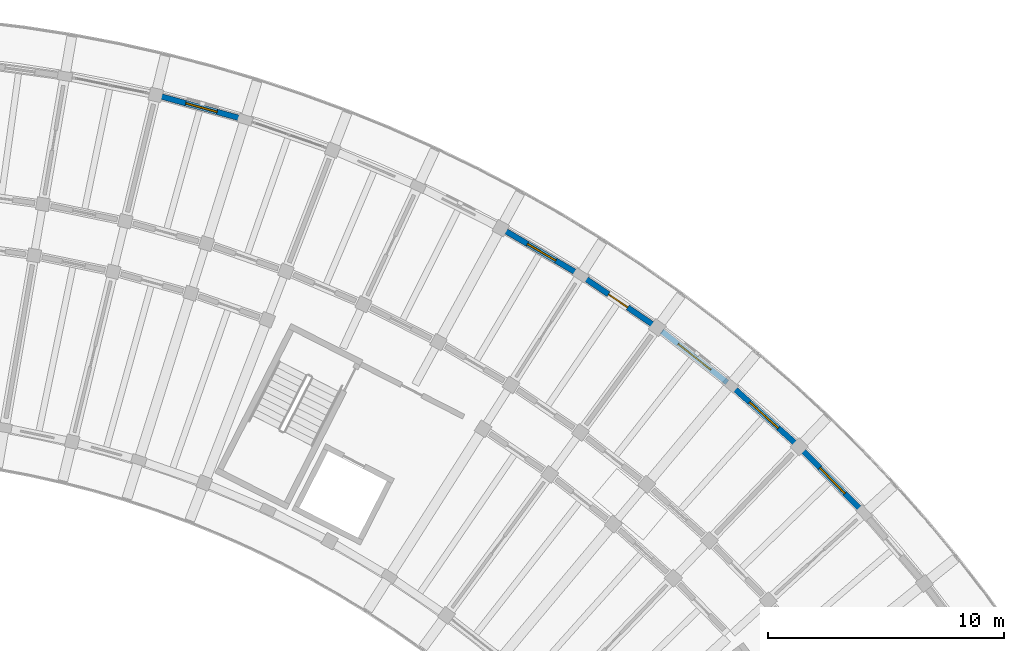
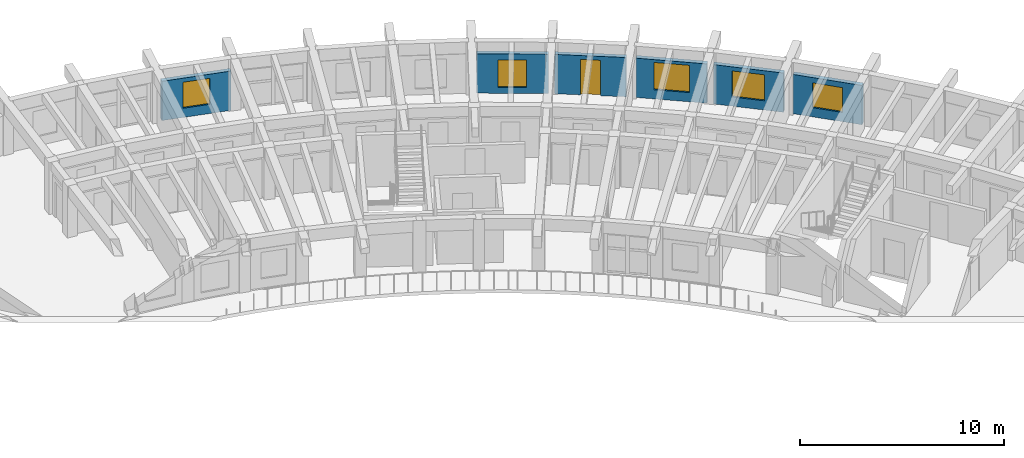
# One storey, part 73 of 96: 6 walls, 5 windows, 1 door, 6 openings.
"""IFC4 building model written with IfcOpenShell, lengths in metres."""

from ifc_helpers import new_model, si_unit, direction, frame, frame_2d, origin, place, context, subcontext, project, spatial, rectangle, extrude, material, layer, layer_set, type_object, element, fill, save


model = new_model("IFC4")

# Units and contexts
model_context = context("Model", 3, precision=1e-05, world=origin(), true_north=direction((0.0, 1.0)))
body_context = subcontext(model_context, "Body", "Model", "MODEL_VIEW")
ifc_project = project(units=[si_unit("LENGTHUNIT", "METRE"), si_unit("AREAUNIT", "SQUARE_METRE"), si_unit("VOLUMEUNIT", "CUBIC_METRE"), si_unit("PLANEANGLEUNIT", "RADIAN"), si_unit("MASSUNIT", "GRAM", prefix="KILO")], contexts=[model_context])

# Site, building, storey
site_placement = place(None, origin())
site = spatial("IfcSite", under=ifc_project, at=site_placement, CompositionType="ELEMENT")
building_placement = place(site_placement, origin())
building = spatial("IfcBuilding", under=site, at=building_placement, Name="Tanwirah Colonnade Gardens", CompositionType="ELEMENT")
storey_placement = place(building_placement, frame((0.0, 0.0, 12.199951171875)))
storey = spatial("IfcBuildingStorey", under=building, at=storey_placement, Name="L03", CompositionType="ELEMENT", Elevation=12.199951171875)

# Wall, opening, window
ifc_material_1 = material(Name="Limestone architectural precast concrete C40/50", Category="masonry")
ifc_layer = layer(ifc_material_1, 0.239990234375)
ifc_layer_set = layer_set([ifc_layer], Name="Limestone architectural precast concrete C40/50")
wall_type = type_object("IfcWallType", Name="EW-PC240", PredefinedType="SOLIDWALL", material=ifc_layer_set)
wall_1_placement = place(storey_placement, frame((164.83203125, 100.503173828125, 0.0), z_axis=(0.0, 0.0, 1.0), x_axis=(-0.698841852324, 0.715276216186, 0.0)))
wall_1 = element("IfcWall", 1, at=wall_1_placement, inside=storey, type_object=wall_type, Name="Block B L03 OUT Precast Facade Wall 7", PredefinedType="SOLIDWALL", context=body_context, shape_type="SweptSolid", body=[
    extrude(rectangle(XDim=3.520751953125, YDim=0.239990234375, at=frame_2d((1.76025390625, 0.0))), origin(), (0.0, 0.0, 1.0), 2.35498046875),
])
opening_1_placement = place(wall_1_placement, frame((1.00048828125, 0.0, 0.550048828125)))
opening_1 = element("IfcOpeningElement", 2, at=opening_1_placement, cuts=wall_1, Name="Opening WIN-U10", PredefinedType="OPENING", context=body_context, shape_type="SweptSolid", body=[
    extrude(rectangle(XDim=1.52001953125, YDim=1.485107421875, at=frame_2d((0.760009765625, 0.74267578125))), frame((0.0, 0.1298828125, 0.0), z_axis=(0.0, -1.0, 0.0), x_axis=(1.0, 0.0, 0.0)), (0.0, 0.0, 1.0), 0.260009765625),
])
ifc_material_2 = material(Name="Thermally broken bronze aluminium and solar low-E double glazing", Category="aluminium")
window_type_1 = type_object("IfcWindowType", Name="WIN-U10", PartitioningType="DOUBLE_PANEL_VERTICAL", PredefinedType="WINDOW", material=ifc_material_2)
window_1_placement = place(opening_1_placement, origin())
window_1 = element("IfcWindow", 3, at=window_1_placement, inside=storey, type_object=window_type_1, Name="Facade window B-L03-OUT-07", OverallHeight=1.485107421875, OverallWidth=1.52001953125, PartitioningType="SINGLE_PANEL", PredefinedType="WINDOW", context=body_context, shape_type="SweptSolid", body=[
    extrude(rectangle(XDim=1.52001953125, YDim=1.485107421875, at=frame_2d((0.760009765625, 0.74267578125))), frame((0.0, 0.030029296875, 0.0), z_axis=(0.0, -1.0, 0.0), x_axis=(1.0, 0.0, 0.0)), (0.0, 0.0, 1.0), 0.06005859375),
])
fill(opening_1, window_1)

wall_2_placement = place(storey_placement, frame((162.01806640625, 103.3603515625, 0.0), z_axis=(0.0, 0.0, 1.0), x_axis=(-0.744413726571, 0.667718656092, 0.0)))
wall_2 = element("IfcWall", 4, at=wall_2_placement, inside=storey, type_object=wall_type, Name="Block B L03 OUT Precast Facade Wall 8", PredefinedType="SOLIDWALL", context=body_context, shape_type="SweptSolid", body=[
    extrude(rectangle(XDim=3.520751953125, YDim=0.239990234375, at=frame_2d((1.76025390625, 0.0))), origin(), (0.0, 0.0, 1.0), 2.35498046875),
])
opening_2_placement = place(wall_2_placement, frame((0.940185546875, 0.0, 0.550048828125)))
opening_2 = element("IfcOpeningElement", 5, at=opening_2_placement, cuts=wall_2, Name="Opening WIN-U13", PredefinedType="OPENING", context=body_context, shape_type="SweptSolid", body=[
    extrude(rectangle(XDim=1.639892578125, YDim=1.56005859375, at=frame_2d((0.81982421875, 0.780029296875))), frame((0.0, 0.1298828125, 0.0), z_axis=(0.0, -1.0, 0.0), x_axis=(1.0, 0.0, 0.0)), (0.0, 0.0, 1.0), 0.260009765625),
])
window_type_2 = type_object("IfcWindowType", Name="WIN-U13", PartitioningType="DOUBLE_PANEL_VERTICAL", PredefinedType="WINDOW", material=ifc_material_2)
window_2_placement = place(opening_2_placement, origin())
window_2 = element("IfcWindow", 6, at=window_2_placement, inside=storey, type_object=window_type_2, Name="Facade window B-L03-OUT-08", OverallHeight=1.56005859375, OverallWidth=1.639892578125, PartitioningType="SINGLE_PANEL", PredefinedType="WINDOW", context=body_context, shape_type="SweptSolid", body=[
    extrude(rectangle(XDim=1.639892578125, YDim=1.56005859375, at=frame_2d((0.81982421875, 0.780029296875))), frame((0.0, 0.030029296875, 0.0), z_axis=(0.0, -1.0, 0.0), x_axis=(1.0, 0.0, 0.0)), (0.0, 0.0, 1.0), 0.06005859375),
])
fill(opening_2, window_2)

wall_3_placement = place(storey_placement, frame((159.152099609375, 105.916748046875, 0.0), z_axis=(0.0, 0.0, 1.0), x_axis=(-0.786813798172, 0.617190446301, 0.0)))
wall_3 = element("IfcWall", 7, at=wall_3_placement, inside=storey, type_object=wall_type, Name="Block B L03 OUT Precast Facade Wall 9", PredefinedType="SOLIDWALL", context=body_context, shape_type="SweptSolid", body=[
    extrude(rectangle(XDim=3.5205078125, YDim=0.239990234375, at=frame_2d((1.76025390625, 0.0))), origin(), (0.0, 0.0, 1.0), 2.35498046875),
])
opening_3_placement = place(wall_3_placement, frame((0.88037109375, 0.0, 0.550048828125)))
opening_3 = element("IfcOpeningElement", 8, at=opening_3_placement, cuts=wall_3, Name="Opening WIN-U16", PredefinedType="OPENING", context=body_context, shape_type="SweptSolid", body=[
    extrude(rectangle(XDim=1.760009765625, YDim=1.635009765625, at=frame_2d((0.8798828125, 0.8173828125))), frame((0.0, 0.1298828125, 0.0), z_axis=(0.0, -1.0, 0.0), x_axis=(1.0, 0.0, 0.0)), (0.0, 0.0, 1.0), 0.260009765625),
])
window_type_3 = type_object("IfcWindowType", Name="WIN-U16", PartitioningType="DOUBLE_PANEL_VERTICAL", PredefinedType="WINDOW", material=ifc_material_2)
window_3_placement = place(opening_3_placement, origin())
window_3 = element("IfcWindow", 9, at=window_3_placement, inside=storey, type_object=window_type_3, Name="Facade window B-L03-OUT-09", OverallHeight=1.635009765625, OverallWidth=1.760009765625, PartitioningType="SINGLE_PANEL", PredefinedType="WINDOW", context=body_context, shape_type="SweptSolid", body=[
    extrude(rectangle(XDim=1.760009765625, YDim=1.635009765625, at=frame_2d((0.8798828125, 0.8173828125))), frame((0.0, 0.030029296875, 0.0), z_axis=(0.0, -1.0, 0.0), x_axis=(1.0, 0.0, 0.0)), (0.0, 0.0, 1.0), 0.06005859375),
])
fill(opening_3, window_3)

# Wall, opening, door
wall_4_placement = place(storey_placement, frame((155.98681640625, 108.37890625, 0.0), z_axis=(0.0, 0.0, 1.0), x_axis=(-0.825745840472, 0.56404238045, 0.0)))
wall_4 = element("IfcWall", 10, at=wall_4_placement, inside=storey, type_object=wall_type, Name="Block B L03 OUT Precast Facade Wall 10", PredefinedType="SOLIDWALL", context=body_context, shape_type="SweptSolid", body=[
    extrude(rectangle(XDim=3.520751953125, YDim=0.239990234375, at=frame_2d((1.76025390625, 0.0))), origin(), (0.0, 0.0, 1.0), 2.35498046875),
])
opening_4_placement = place(wall_4_placement, frame((1.2705078125, 0.0, 0.0)))
opening_4 = element("IfcOpeningElement", 11, at=opening_4_placement, cuts=wall_4, Name="Opening L03-ED083", PredefinedType="OPENING", context=body_context, shape_type="SweptSolid", body=[
    extrude(rectangle(XDim=0.97998046875, YDim=2.1201171875, at=frame_2d((0.489990234375, 1.06005859375))), frame((0.0, 0.1298828125, 0.0), z_axis=(0.0, -1.0, 0.0), x_axis=(1.0, 0.0, 0.0)), (0.0, 0.0, 1.0), 0.260009765625),
])
ifc_material_3 = material(Name="Bronze aluminium glazed balcony door", Category="aluminium")
door_type = type_object("IfcDoorType", Name="ED-BAL098", OperationType="NOTDEFINED", PredefinedType="DOOR", material=ifc_material_3)
door_placement = place(opening_4_placement, origin())
door = element("IfcDoor", 12, at=door_placement, inside=storey, type_object=door_type, Name="Balcony glazed door L03-ED083", OperationType="SINGLE_SWING_RIGHT", OverallHeight=2.1201171875, OverallWidth=0.97998046875, PredefinedType="DOOR", context=body_context, shape_type="SweptSolid", body=[
    extrude(rectangle(XDim=0.97998046875, YDim=2.1201171875, at=frame_2d((0.489990234375, 1.06005859375))), frame((0.0, 0.02490234375, 0.0), z_axis=(0.0, -1.0, 0.0), x_axis=(1.0, 0.0, 0.0)), (0.0, 0.0, 1.0), 0.050048828125),
])
fill(opening_4, door)

# Wall, opening, window
wall_5_placement = place(storey_placement, frame((152.8095703125, 110.536376953125, 0.0), z_axis=(0.0, 0.0, 1.0), x_axis=(-0.861136297738, 0.508374150324, 0.0)))
wall_5 = element("IfcWall", 13, at=wall_5_placement, inside=storey, type_object=wall_type, Name="Block B L03 OUT Precast Facade Wall 11", PredefinedType="SOLIDWALL", context=body_context, shape_type="SweptSolid", body=[
    extrude(rectangle(XDim=3.5205078125, YDim=0.239990234375, at=frame_2d((1.76025390625, 0.0))), origin(), (0.0, 0.0, 1.0), 2.35498046875),
])
opening_5_placement = place(wall_5_placement, frame((1.060302734375, 0.0, 0.35009765625)))
opening_5 = element("IfcOpeningElement", 14, at=opening_5_placement, cuts=wall_5, Name="Opening WIN-T06", PredefinedType="OPENING", context=body_context, shape_type="SweptSolid", body=[
    extrude(rectangle(XDim=1.39990234375, YDim=1.64990234375, at=frame_2d((0.699951171875, 0.824951171875))), frame((0.0, 0.1298828125, 0.0), z_axis=(0.0, -1.0, 0.0), x_axis=(1.0, 0.0, 0.0)), (0.0, 0.0, 1.0), 0.260009765625),
])
window_type_4 = type_object("IfcWindowType", Name="WIN-T06", PartitioningType="DOUBLE_PANEL_VERTICAL", PredefinedType="WINDOW", material=ifc_material_2)
window_4_placement = place(opening_5_placement, origin())
window_4 = element("IfcWindow", 15, at=window_4_placement, inside=storey, type_object=window_type_4, Name="Facade window B-L03-OUT-11", OverallHeight=1.64990234375, OverallWidth=1.39990234375, PartitioningType="SINGLE_PANEL", PredefinedType="WINDOW", context=body_context, shape_type="SweptSolid", body=[
    extrude(rectangle(XDim=1.39990234375, YDim=1.64990234375, at=frame_2d((0.699951171875, 0.824951171875))), frame((0.0, 0.030029296875, 0.0), z_axis=(0.0, -1.0, 0.0), x_axis=(1.0, 0.0, 0.0)), (0.0, 0.0, 1.0), 0.06005859375),
])
fill(opening_5, window_4)

wall_6_placement = place(storey_placement, frame((138.58740234375, 117.08837890625, 0.0), z_axis=(0.0, 0.0, 1.0), x_axis=(-0.963894473631, 0.266284516456, 0.0)))
wall_6 = element("IfcWall", 16, at=wall_6_placement, inside=storey, type_object=wall_type, Name="Block B L03 OUT Precast Facade Wall 15", PredefinedType="SOLIDWALL", context=body_context, shape_type="SweptSolid", body=[
    extrude(rectangle(XDim=3.520751953125, YDim=0.239990234375, at=frame_2d((1.76025390625, 0.0))), origin(), (0.0, 0.0, 1.0), 2.35498046875),
])
opening_6_placement = place(wall_6_placement, frame((1.0703125, 0.0, 0.550048828125)))
opening_6 = element("IfcOpeningElement", 17, at=opening_6_placement, cuts=wall_6, Name="Opening WIN-T18", PredefinedType="OPENING", context=body_context, shape_type="SweptSolid", body=[
    extrude(rectangle(XDim=1.3798828125, YDim=1.56005859375, at=frame_2d((0.68994140625, 0.780029296875))), frame((0.0, 0.1298828125, 0.0), z_axis=(0.0, -1.0, 0.0), x_axis=(1.0, 0.0, 0.0)), (0.0, 0.0, 1.0), 0.260009765625),
])
window_type_5 = type_object("IfcWindowType", Name="WIN-T18", PartitioningType="DOUBLE_PANEL_VERTICAL", PredefinedType="WINDOW", material=ifc_material_2)
window_5_placement = place(opening_6_placement, origin())
window_5 = element("IfcWindow", 18, at=window_5_placement, inside=storey, type_object=window_type_5, Name="Facade window B-L03-OUT-15", OverallHeight=1.56005859375, OverallWidth=1.3798828125, PartitioningType="SINGLE_PANEL", PredefinedType="WINDOW", context=body_context, shape_type="SweptSolid", body=[
    extrude(rectangle(XDim=1.3798828125, YDim=1.56005859375, at=frame_2d((0.68994140625, 0.780029296875))), frame((0.0, 0.030029296875, 0.0), z_axis=(0.0, -1.0, 0.0), x_axis=(1.0, 0.0, 0.0)), (0.0, 0.0, 1.0), 0.06005859375),
])
fill(opening_6, window_5)

save(model, "model.ifc")
